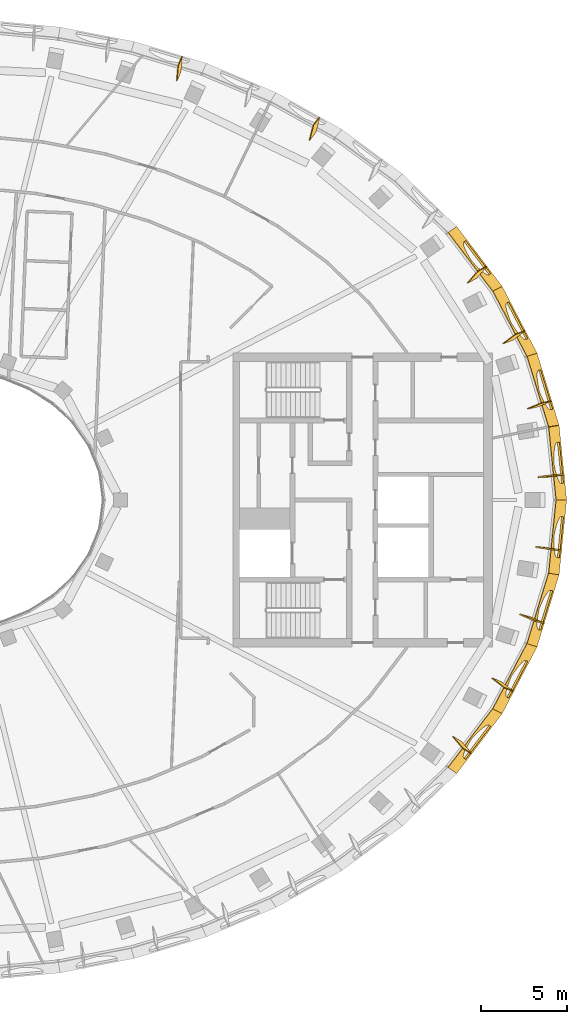
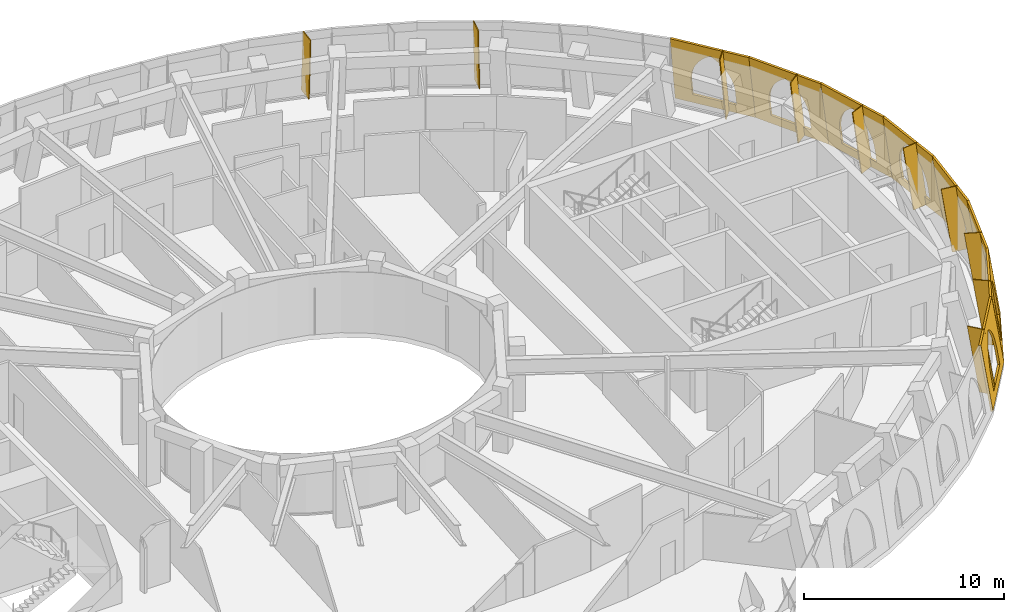
# One storey, part 14 of 14: 18 coverings.
"""IFC4 building model written with IfcOpenShell, lengths in metres."""

from ifc_helpers import new_model, si_unit, direction, frame, origin, place, context, subcontext, project, spatial, polyline, outline, extrude, material, layer, layer_set, type_object, element, save


model = new_model("IFC4")

# Units and contexts
model_context = context("Model", 3, precision=1e-05, world=origin(), true_north=direction((0.0, 1.0)))
body_context = subcontext(model_context, "Body", "Model", "MODEL_VIEW")
ifc_project = project(units=[si_unit("LENGTHUNIT", "METRE"), si_unit("AREAUNIT", "SQUARE_METRE"), si_unit("VOLUMEUNIT", "CUBIC_METRE"), si_unit("PLANEANGLEUNIT", "RADIAN"), si_unit("MASSUNIT", "GRAM", prefix="KILO")], contexts=[model_context])

# Site, building, storey
site_placement = place(None, origin())
site = spatial("IfcSite", under=ifc_project, at=site_placement, CompositionType="ELEMENT")
building_placement = place(site_placement, origin())
building = spatial("IfcBuilding", under=site, at=building_placement, Name="Noorbagh Ring Tower", CompositionType="ELEMENT")
storey_placement = place(building_placement, frame((0.0, 0.0, 335.0)))
storey = spatial("IfcBuildingStorey", under=building, at=storey_placement, Name="L73", CompositionType="ELEMENT", Elevation=335.0)

# Coverings
ifc_material_1 = material(Name="Aluminium 6063-T6 black anodised", Category="aluminium")
ifc_layer_1 = layer(ifc_material_1, 0.050048828125)
ifc_layer_set_1 = layer_set([ifc_layer_1], Name="Aluminium 6063-T6 black anodised")
covering_type_1 = type_object("IfcCoveringType", Name="STYLE-HEAD-FIN", PredefinedType="CLADDING", material=ifc_layer_set_1)
covering_1_placement = place(storey_placement, frame((35.654052734375, 1.4423828125, 0.0), z_axis=(0.124361033752, -0.992175924675, 0.011012165115), x_axis=(-0.149425561823, -0.007755198218, 0.988742564257)))
element("IfcCovering", 1, at=covering_1_placement, inside=storey, type_object=covering_type_1, Name="Fin rib F01 L73", ObjectType="FIN", PredefinedType="CLADDING", context=body_context, shape_type="SweptSolid", body=[
    extrude(outline(polyline([(0.0, 0.0), (4.045541085068021, -1.1102230246251565e-16), (4.179855192961751, 0.8899607971314065), (0.13431600125266993, 0.8899912186515152), (0.0, 0.0)])), origin(), (0.0, 0.0, -1.0), 0.050048828125),
])
covering_2_placement = place(storey_placement, frame((34.938720703125, 5.714111328125, 0.0), z_axis=(0.381510646415, -0.923949913049, 0.02768004422), x_axis=(-0.146105523488, -0.030706206504, 0.988792346698)))
element("IfcCovering", 2, at=covering_2_placement, inside=storey, type_object=covering_type_1, Name="Fin rib F02 L73", ObjectType="FIN", PredefinedType="CLADDING", context=body_context, shape_type="SweptSolid", body=[
    extrude(outline(polyline([(0.0, 0.0), (4.045584358427937, 1.1102230246251565e-16), (4.177696481621185, 0.890403650676491), (0.13207645289942732, 0.8901808126262952), (0.0, 0.0)])), origin(), (0.0, 0.0, -1.0), 0.050048828125),
])
covering_3_placement = place(storey_placement, frame((33.418701171875, 9.773681640625, 0.0), z_axis=(0.595963791254, -0.801935815517, 0.041546447557), x_axis=(-0.139578699309, -0.052500418677, 0.988818230383)))
element("IfcCovering", 3, at=covering_3_placement, inside=storey, type_object=covering_type_1, Name="Fin rib F03 L73", ObjectType="FIN", PredefinedType="CLADDING", context=body_context, shape_type="SweptSolid", body=[
    extrude(outline(polyline([(0.0, 0.0), (4.045726664748056, -1.1102230246251565e-16), (4.1747456569171915, 0.8907623899288861), (0.129018992169136, 0.8907623899288862), (0.0, 0.0)])), origin(), (0.0, 0.0, -1.0), 0.050048828125),
])
covering_4_placement = place(storey_placement, frame((31.197998046875, 13.501708984375, 0.0), z_axis=(0.755758006064, -0.652804773476, 0.051727787473), x_axis=(-0.130254727378, -0.072442851982, 0.988830490626)))
element("IfcCovering", 4, at=covering_4_placement, inside=storey, type_object=covering_type_1, Name="Fin rib F04 L73", ObjectType="FIN", PredefinedType="CLADDING", context=body_context, shape_type="SweptSolid", body=[
    extrude(outline(polyline([(0.0, 0.0), (4.045685497605292, 0.0), (4.171637449578587, 0.8910707571020233), (0.12596606620068676, 0.8910433429436253), (0.0, 0.0)])), origin(), (0.0, 0.0, -1.0), 0.050048828125),
])
covering_5_placement = place(storey_placement, frame((21.537109375, 22.1396484375, 0.0), z_axis=(0.967198735921, -0.247249739856, 0.058259517462), x_axis=(-0.089981252416, -0.118998022002, 0.988808801019)))
element("IfcCovering", 5, at=covering_5_placement, inside=storey, type_object=covering_type_1, Name="Fin rib F07 L73", ObjectType="FIN", PredefinedType="CLADDING", context=body_context, shape_type="SweptSolid", body=[
    extrude(outline(polyline([(0.0, 0.0), (4.045763466856136, 0.0), (4.1695659131513905, 0.8913127461712644), (0.12383149854672014, 0.8915475159190084), (0.0, 0.0)])), origin(), (0.0, 0.0, -1.0), 0.050048828125),
])
covering_6_placement = place(storey_placement, frame((13.589111328125, 25.66650390625, 0.0), z_axis=(0.994852297429, -0.091057034033, 0.044469347345), x_axis=(-0.056846127168, -0.138192814454, 0.988772604727)))
element("IfcCovering", 6, at=covering_6_placement, inside=storey, type_object=covering_type_1, Name="Fin rib F09 L73", ObjectType="FIN", PredefinedType="CLADDING", context=body_context, shape_type="SweptSolid", body=[
    extrude(outline(polyline([(0.0, 0.0), (4.045666436852863, -1.1102230246251565e-16), (4.174183556137161, 0.8907631748899272), (0.12851711928429782, 0.8907631748899271), (0.0, 0.0)])), origin(), (0.0, 0.0, -1.0), 0.050048828125),
])
covering_7_placement = place(storey_placement, frame((30.3203125, -14.657958984375, 0.0), z_axis=(0.76489649452, 0.64242635087, 0.047135298644), x_axis=(-0.127872347112, 0.079716550512, 0.988581779328)))
element("IfcCovering", 7, at=covering_7_placement, inside=storey, type_object=covering_type_1, Name="Fin rib F43 L73", ObjectType="FIN", PredefinedType="CLADDING", context=body_context, shape_type="SweptSolid", body=[
    extrude(outline(polyline([(0.0, 0.0), (4.04570648820838, 0.0), (4.174667708203385, -0.8907603172236574), (0.1289612199950049, -0.8907603172236573), (0.0, 0.0)])), origin(), (0.0, 0.0, -1.0), 0.050048828125),
])
covering_8_placement = place(storey_placement, frame((32.7470703125, -11.059814453125, 0.0), z_axis=(0.610800355231, 0.790909889755, 0.037208498179), x_axis=(-0.138028206937, 0.060086755373, 0.988603963131)))
element("IfcCovering", 8, at=covering_8_placement, inside=storey, type_object=covering_type_1, Name="Fin rib F44 L73", ObjectType="FIN", PredefinedType="CLADDING", context=body_context, shape_type="SweptSolid", body=[
    extrude(outline(polyline([(0.0, 0.0), (4.045612070710445, 0.0), (4.1769943382146035, -0.890398508066133), (0.13139693712217027, -0.8905471837190015), (0.0, 0.0)])), origin(), (0.0, 0.0, -1.0), 0.050048828125),
])
covering_9_placement = place(storey_placement, frame((34.514404296875, -7.100830078125, 0.0), z_axis=(0.401619776929, 0.91550868799, 0.023353736198), x_axis=(-0.145252343972, 0.038500621294, 0.988645264354)))
element("IfcCovering", 9, at=covering_9_placement, inside=storey, type_object=covering_type_1, Name="Fin rib F45 L73", ObjectType="FIN", PredefinedType="CLADDING", context=body_context, shape_type="SweptSolid", body=[
    extrude(outline(polyline([(0.0, 0.0), (4.0456936411734015, 0.0), (4.1793341034261795, -0.890062513517799), (0.13364046225277815, -0.8900625135177989), (0.0, 0.0)])), origin(), (0.0, 0.0, -1.0), 0.050048828125),
])
covering_10_placement = place(storey_placement, frame((35.508544921875, -2.885009765625, 0.0), z_axis=(0.147833092531, 0.988989826363, 0.006670839826), x_axis=(-0.149172121519, 0.015629279722, 0.988687718027)))
element("IfcCovering", 10, at=covering_10_placement, inside=storey, type_object=covering_type_1, Name="Fin rib F46 L73", ObjectType="FIN", PredefinedType="CLADDING", context=body_context, shape_type="SweptSolid", body=[
    extrude(outline(polyline([(0.0, 0.0), (4.045766855466997, 2.220446049250313e-16), (4.180630017699846, -0.889864807234213), (0.1348631622328482, -0.8898648072342131), (0.0, 0.0)])), origin(), (0.0, 0.0, -1.0), 0.050048828125),
])
ifc_material_2 = material(Name="Red sandstone jali", Category="masonry")
ifc_layer_2 = layer(ifc_material_2, 0.1201171875)
ifc_layer_set_2 = layer_set([ifc_layer_2], Name="Red sandstone jali")
covering_type_2 = type_object("IfcCoveringType", Name="STYLE-HEAD-SKIN", PredefinedType="CLADDING", material=ifc_layer_set_2)
covering_11_placement = place(storey_placement, frame((35.799560546875, 0.0, 0.0), z_axis=(0.983776833745, 0.099236215519, 0.149450041536), x_axis=(-0.100363407795, 0.994950846211, 2.60552e-07)))
element("IfcCovering", 11, at=covering_11_placement, inside=storey, type_object=covering_type_2, Name="Head skin panel", ObjectType="HEAD SKIN", PredefinedType="CLADDING", context=body_context, shape_type="SweptSolid", body=[
    extrude(outline(polyline([(0.0, 0.0), (4.349365234375, 0.0), (4.315673828125, 4.04541015625), (0.06103515625, 4.04541015625), (0.0, 0.0)]), holes=[polyline([(0.9853515625, 0.550048828125), (0.98828125, 1.43212890625), (1.009521484375, 1.7431640625), (1.071533203125, 2.048828125), (1.172607421875, 2.343994140625), (1.311279296875, 2.623291015625), (1.4853515625, 2.882568359375), (1.691650390625, 3.116943359375), (1.9267578125, 3.322509765625), (2.186279296875, 3.49560546875), (2.44482421875, 3.322509765625), (2.6787109375, 3.116943359375), (2.88330078125, 2.882568359375), (3.055419921875, 2.623291015625), (3.1923828125, 2.343994140625), (3.29150390625, 2.048828125), (3.351318359375, 1.7431640625), (3.370849609375, 1.43212890625), (3.367919921875, 0.550048828125), (0.9853515625, 0.550048828125)])]), origin(), (0.0, 0.0, -1.0), 0.1201171875),
])
covering_12_placement = place(storey_placement, frame((35.363037109375, 4.327392578125, 0.0), z_axis=(0.945597618831, 0.289339296312, 0.148754545712), x_axis=(-0.292594665782, 0.956236561503, 3.6525e-08)))
element("IfcCovering", 12, at=covering_12_placement, inside=storey, type_object=covering_type_2, Name="Head skin panel", ObjectType="HEAD SKIN", PredefinedType="CLADDING", context=body_context, shape_type="SweptSolid", body=[
    extrude(outline(polyline([(0.0, 0.0), (4.3505859375, 0.0), (4.342529296875, 4.044921875), (0.085205078125, 4.044921875), (0.0, 0.0)]), holes=[polyline([(0.988525390625, 0.550048828125), (0.996826171875, 1.430419921875), (1.020263671875, 1.74169921875), (1.083984375, 2.04736328125), (1.18701171875, 2.3427734375), (1.32763671875, 2.622314453125), (1.50341796875, 2.881591796875), (1.711181640625, 3.1162109375), (1.947509765625, 3.32177734375), (2.20849609375, 3.4951171875), (2.46630859375, 3.32177734375), (2.69873046875, 3.1162109375), (2.902099609375, 2.881591796875), (3.072998046875, 2.622314453125), (3.208251953125, 2.3427734375), (3.3056640625, 2.04736328125), (3.363525390625, 1.74169921875), (3.380859375, 1.430419921875), (3.37255859375, 0.550048828125), (0.988525390625, 0.550048828125)])]), origin(), (0.0, 0.0, -1.0), 0.1201171875),
])
covering_13_placement = place(storey_placement, frame((34.090087890625, 8.487548828125, 0.0), z_axis=(0.876667817873, 0.457744097378, 0.148067141599), x_axis=(-0.46284552488, 0.88643895452, -2.85552e-06)))
element("IfcCovering", 13, at=covering_13_placement, inside=storey, type_object=covering_type_2, Name="Head skin panel", ObjectType="HEAD SKIN", PredefinedType="CLADDING", context=body_context, shape_type="SweptSolid", body=[
    extrude(outline(polyline([(0.0, 0.0), (4.352294921875, 0.0), (4.365234375, 4.044677734375), (0.103271484375, 4.044677734375), (0.0, 0.0)]), holes=[polyline([(0.99072265625, 0.550048828125), (1.00341796875, 1.427734375), (1.0283203125, 1.7392578125), (1.093505859375, 2.04541015625), (1.1982421875, 2.341064453125), (1.34033203125, 2.62109375), (1.517578125, 2.880615234375), (1.726806640625, 3.115478515625), (1.96435546875, 3.3212890625), (2.226318359375, 3.49462890625), (2.4833984375, 3.3212890625), (2.715087890625, 3.115478515625), (2.917724609375, 2.880615234375), (3.08740234375, 2.62109375), (3.221435546875, 2.341064453125), (3.317626953125, 2.04541015625), (3.3740234375, 1.7392578125), (3.389892578125, 1.427734375), (3.37744140625, 0.550048828125), (0.99072265625, 0.550048828125)])]), origin(), (0.0, 0.0, -1.0), 0.1201171875),
])
covering_14_placement = place(storey_placement, frame((32.07568359375, 12.345703125, 0.0), z_axis=(0.787793037727, 0.59799342108, 0.147600806413), x_axis=(-0.604616411914, 0.796516788533, 5.423274e-06)))
element("IfcCovering", 14, at=covering_14_placement, inside=storey, type_object=covering_type_2, Name="Head skin panel", ObjectType="HEAD SKIN", PredefinedType="CLADDING", context=body_context, shape_type="SweptSolid", body=[
    extrude(outline(polyline([(0.0, 0.0), (4.354736328125, 0.0), (4.38134765625, 4.044189453125), (0.1142578125, 4.04443359375), (0.0, 0.0)]), holes=[polyline([(0.9921875, 0.550048828125), (1.00732421875, 1.4248046875), (1.033203125, 1.73681640625), (1.099609375, 2.04345703125), (1.205078125, 2.33935546875), (1.348388671875, 2.61962890625), (1.526611328125, 2.879638671875), (1.73681640625, 3.114501953125), (1.975341796875, 3.32080078125), (2.23828125, 3.494384765625), (2.4951171875, 3.32080078125), (2.7265625, 3.114501953125), (2.928466796875, 2.879638671875), (3.09765625, 2.61962890625), (3.23095703125, 2.33935546875), (3.326416015625, 2.04345703125), (3.3818359375, 1.73681640625), (3.39697265625, 1.4248046875), (3.381591796875, 0.550048828125), (0.9921875, 0.550048828125)])]), origin(), (0.0, 0.0, -1.0), 0.1201171875),
])
covering_15_placement = place(storey_placement, frame((29.442626953125, -15.814208984375, 0.0), z_axis=(0.78748386, -0.597786727668, 0.150067313105), x_axis=(0.604633993778, 0.796503442279, -2.165502e-06)))
element("IfcCovering", 15, at=covering_15_placement, inside=storey, type_object=covering_type_2, Name="Head skin panel", ObjectType="HEAD SKIN", PredefinedType="CLADDING", context=body_context, shape_type="SweptSolid", body=[
    extrude(outline(polyline([(0.0, 0.0), (4.354736328125, 0.0), (4.240478515625, 4.0458984375), (-0.02685546875, 4.0458984375), (0.0, 0.0)]), holes=[polyline([(0.972900390625, 0.550048828125), (0.95751953125, 1.426513671875), (0.97265625, 1.73828125), (1.0283203125, 2.044921875), (1.12353515625, 2.3408203125), (1.2568359375, 2.62109375), (1.426025390625, 2.881103515625), (1.6279296875, 3.1162109375), (1.859375, 3.322265625), (2.1162109375, 3.495849609375), (2.379150390625, 3.322265625), (2.617919921875, 3.1162109375), (2.827880859375, 2.881103515625), (3.006103515625, 2.62109375), (3.1494140625, 2.3408203125), (3.2548828125, 2.044921875), (3.3212890625, 1.73828125), (3.34716796875, 1.426513671875), (3.362548828125, 0.550048828125), (0.972900390625, 0.550048828125)])]), origin(), (0.0, 0.0, -1.0), 0.1201171875),
])
covering_16_placement = place(storey_placement, frame((32.07568359375, -12.345703125, 0.0), z_axis=(0.876369881052, -0.45763118357, 0.150165013932), x_axis=(0.462878647892, 0.886421658835, 8.57244e-06)))
element("IfcCovering", 16, at=covering_16_placement, inside=storey, type_object=covering_type_2, Name="Head skin panel", ObjectType="HEAD SKIN", PredefinedType="CLADDING", context=body_context, shape_type="SweptSolid", body=[
    extrude(outline(polyline([(0.0, 0.0), (4.352294921875, 0.0), (4.2490234375, 4.0458984375), (-0.0126953125, 4.0458984375), (0.0, 0.0)]), holes=[polyline([(0.97509765625, 0.550048828125), (0.96240234375, 1.428955078125), (0.978271484375, 1.740478515625), (1.034912109375, 2.046875), (1.130859375, 2.34228515625), (1.264892578125, 2.622314453125), (1.434814453125, 2.8818359375), (1.63720703125, 3.11669921875), (1.868896484375, 3.322509765625), (2.1259765625, 3.495849609375), (2.38818359375, 3.322509765625), (2.625732421875, 3.11669921875), (2.8349609375, 2.8818359375), (3.01220703125, 2.622314453125), (3.154296875, 2.34228515625), (3.2587890625, 2.046875), (3.32421875, 1.740478515625), (3.34912109375, 1.428955078125), (3.361572265625, 0.550048828125), (0.97509765625, 0.550048828125)])]), origin(), (0.0, 0.0, -1.0), 0.1201171875),
])
covering_17_placement = place(storey_placement, frame((34.090087890625, -8.487548828125, 0.0), z_axis=(0.94539258151, -0.289276557835, 0.150173033241), x_axis=(0.292594665883, 0.956236561473, -3.6865e-08)))
element("IfcCovering", 17, at=covering_17_placement, inside=storey, type_object=covering_type_2, Name="Head skin panel", ObjectType="HEAD SKIN", PredefinedType="CLADDING", context=body_context, shape_type="SweptSolid", body=[
    extrude(outline(polyline([(0.0, 0.0), (4.3505859375, 0.0), (4.26513671875, 4.0458984375), (0.008056640625, 4.0458984375), (0.0, 0.0)]), holes=[polyline([(0.97802734375, 0.550048828125), (0.969482421875, 1.431396484375), (0.987060546875, 1.742431640625), (1.044921875, 2.04833984375), (1.142333984375, 2.343505859375), (1.277587890625, 2.623291015625), (1.448486328125, 2.882568359375), (1.65185546875, 3.1171875), (1.88427734375, 3.32275390625), (2.14208984375, 3.495849609375), (2.40283203125, 3.32275390625), (2.639404296875, 3.1171875), (2.84716796875, 2.882568359375), (3.02294921875, 2.623291015625), (3.16357421875, 2.343505859375), (3.2666015625, 2.04833984375), (3.330322265625, 1.742431640625), (3.353759765625, 1.431396484375), (3.362060546875, 0.550048828125), (0.97802734375, 0.550048828125)])]), origin(), (0.0, 0.0, -1.0), 0.1201171875),
])
covering_18_placement = place(storey_placement, frame((35.363037109375, -4.327392578125, 0.0), z_axis=(0.983696352943, -0.099228097204, 0.149984232277), x_axis=(0.100363408076, 0.994950846183, -2.61462e-07)))
element("IfcCovering", 18, at=covering_18_placement, inside=storey, type_object=covering_type_2, Name="Head skin panel", ObjectType="HEAD SKIN", PredefinedType="CLADDING", context=body_context, shape_type="SweptSolid", body=[
    extrude(outline(polyline([(0.0, 0.0), (4.349365234375, 0.0), (4.288330078125, 4.045654296875), (0.03369140625, 4.045654296875), (0.0, 0.0)]), holes=[polyline([(0.981689453125, 0.550048828125), (0.978515625, 1.4326171875), (0.998046875, 1.743408203125), (1.0576171875, 2.049072265625), (1.156982421875, 2.34423828125), (1.293701171875, 2.623779296875), (1.466064453125, 2.8828125), (1.6708984375, 3.1171875), (1.904296875, 3.32275390625), (2.1630859375, 3.495849609375), (2.422607421875, 3.32275390625), (2.65771484375, 3.1171875), (2.864013671875, 2.8828125), (3.0380859375, 2.623779296875), (3.1767578125, 2.34423828125), (3.27783203125, 2.049072265625), (3.339599609375, 1.743408203125), (3.361083984375, 1.4326171875), (3.364013671875, 0.550048828125), (0.981689453125, 0.550048828125)])]), origin(), (0.0, 0.0, -1.0), 0.1201171875),
])

save(model, "model.ifc")
